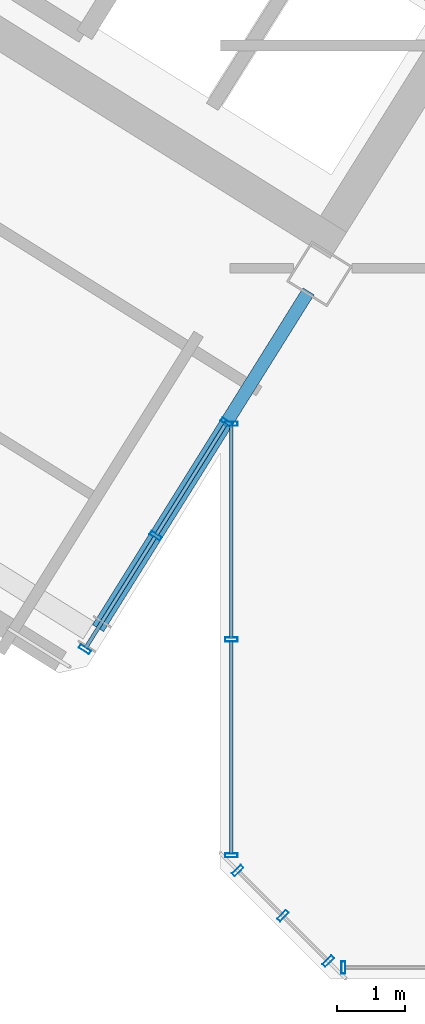
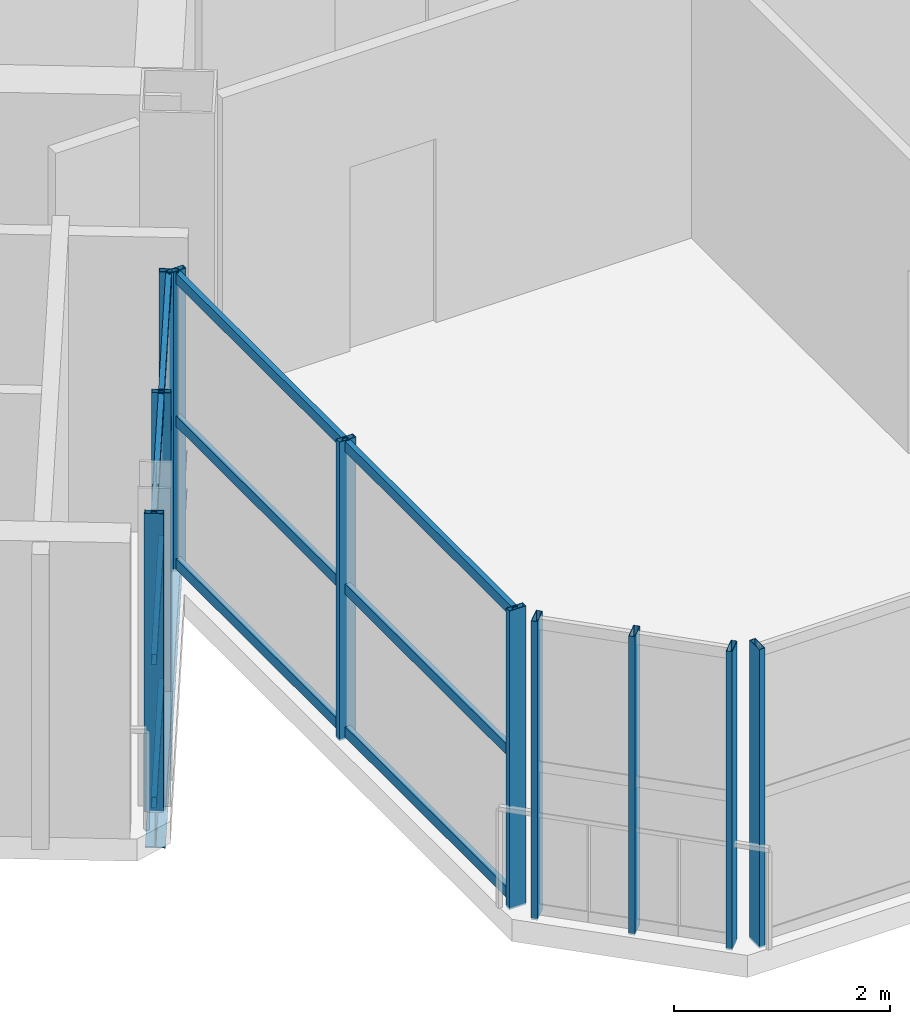
# One storey, part 3 of 15: 22 members, 1 beam, 4 elements without a shape of their own.
"""IFC4 building model written with IfcOpenShell, lengths in metres."""

from ifc_helpers import new_model, si_unit, direction, frame, origin, origin_2d, place, context, subcontext, project, spatial, hollow_rectangle, i_section, extrude, source, transform, mapped, material, material_profile, profile_set, type_object, element, aggregate, save


model = new_model("IFC4")

# Units and contexts
model_context = context("Model", 3, precision=1e-05, world=origin(), true_north=direction((0.0, 1.0)))
body_context = subcontext(model_context, "Body", "Model", "MODEL_VIEW")
ifc_project = project(units=[si_unit("LENGTHUNIT", "METRE"), si_unit("AREAUNIT", "SQUARE_METRE"), si_unit("VOLUMEUNIT", "CUBIC_METRE"), si_unit("PLANEANGLEUNIT", "RADIAN"), si_unit("MASSUNIT", "GRAM", prefix="KILO")], contexts=[model_context])

# Site, building, storey
site_placement = place(None, origin())
site = spatial("IfcSite", under=ifc_project, at=site_placement, CompositionType="ELEMENT")
building_placement = place(site_placement, origin())
building = spatial("IfcBuilding", under=site, at=building_placement, Name="Tlacorven Tower", CompositionType="ELEMENT")
storey_placement = place(building_placement, frame((0.0, 0.0, 266.39990234375)))
storey = spatial("IfcBuildingStorey", under=building, at=storey_placement, Name="L67", CompositionType="ELEMENT", Elevation=266.39990234375)

# Beam
ifc_material_1 = material(Name="Steel S355J2", Category="steel")
ifc_material_profile_1 = material_profile(ifc_material_1, i_section(OverallWidth=0.18994140625, OverallDepth=0.449951171875, WebThickness=0.009521484375, FlangeThickness=0.0146484375, at=origin_2d()), Name="IPE 450")
ifc_profile_set_1 = profile_set([ifc_material_profile_1], Name="Steel S355J2")
beam_type = type_object("IfcBeamType", Name="BM-TWR-450", PredefinedType="BEAM", material=ifc_profile_set_1)
shared_shape_1 = source(origin(), body_context, "Body", "SweptSolid", [
    extrude(i_section(OverallWidth=0.18994140625, OverallDepth=0.449951171875, WebThickness=0.009521484375, FlangeThickness=0.0146484375, at=origin_2d()), origin(), (0.0, 0.0, 1.0), 5.800048828125),
])
beam_placement = place(storey_placement, frame((32.88720703125, 11.83251953125, -0.474853515625), z_axis=(-0.529911912967, -0.848052689693, 0.0), x_axis=(0.848052689693, -0.529911912967, 0.0)))
element("IfcBeam", 1, at=beam_placement, inside=storey, type_object=beam_type, Name="L67 beam BM-L67-WT1-2", PredefinedType="BEAM", context=body_context, shape_type="MappedRepresentation", body=[
    mapped(shared_shape_1, transform((0.0, 0.0, 0.0), scale=1.0)),
])

# Curtain wall, member
ifc_material_2 = material(Name="Dark solar low-E double glazing in aluminium frame", Category="aluminium")
curtain_wall_type = type_object("IfcCurtainWallType", Name="CW-TWR-HIGH", PredefinedType="USERDEFINED", material=ifc_material_2)
curtain_wall_1_placement = place(storey_placement, origin())
curtain_wall_1 = element("IfcCurtainWall", 2, at=curtain_wall_1_placement, inside=storey, type_object=curtain_wall_type, Name="L67 CW-TWR-HIGH Curtain Wall 309", ObjectType="UNITISED CURTAIN WALL", PredefinedType="USERDEFINED")
ifc_material_3 = material(Name="Aluminium 6063-T6 anodised", Category="aluminium")
ifc_material_profile_2 = material_profile(ifc_material_3, hollow_rectangle(XDim=0.06005859375, YDim=0.179931640625, WallThickness=0.00390625, at=origin_2d()), Name="ALU MULLION 60X180")
ifc_profile_set_2 = profile_set([ifc_material_profile_2], Name="Aluminium 6063-T6 anodised")
member_type_1 = type_object("IfcMemberType", Name="CWM-03", PredefinedType="MULLION", material=ifc_profile_set_2)
shared_shape_2 = source(origin(), body_context, "Body", "SweptSolid", [
    extrude(hollow_rectangle(XDim=0.06005859375, YDim=0.179931640625, WallThickness=0.00390625, at=origin_2d()), origin(), (0.0, 0.0, 1.0), 3.380126953125),
])
member_1_placement = place(storey_placement, frame((33.396240234375, 1.9599609375, -0.02001953125), z_axis=(0.0, 0.0, 1.0), x_axis=(-1.0, 0.0, 0.0)))
member_1 = element("IfcMember", 3, at=member_1_placement, type_object=member_type_1, Name="CW-L67-309 Mullion 4", PredefinedType="MULLION", context=body_context, shape_type="MappedRepresentation", body=[
    mapped(shared_shape_2, transform((0.0, 0.0, 0.0), scale=1.0)),
])
aggregate(curtain_wall_1, [member_1])

# Curtain wall, members
curtain_wall_2_placement = place(storey_placement, origin())
curtain_wall_2 = element("IfcCurtainWall", 4, at=curtain_wall_2_placement, inside=storey, type_object=curtain_wall_type, Name="L67 CW-TWR-HIGH Curtain Wall 310", ObjectType="UNITISED CURTAIN WALL", PredefinedType="USERDEFINED")
member_2_placement = place(storey_placement, frame((33.17431640625, 2.052001953125, -0.02001953125), z_axis=(0.0, 0.0, 1.0), x_axis=(-0.707106781187, 0.707106781187, 0.0)))
member_2 = element("IfcMember", 5, at=member_2_placement, type_object=member_type_1, Name="CW-L67-310 Mullion 1", PredefinedType="MULLION", context=body_context, shape_type="MappedRepresentation", body=[
    mapped(shared_shape_2, transform((0.0, 0.0, 0.0), scale=1.0)),
])
member_3_placement = place(storey_placement, frame((32.51318359375, 2.713134765625, -0.02001953125), z_axis=(0.0, 0.0, 1.0), x_axis=(-0.707106781187, 0.707106781187, 0.0)))
member_3 = element("IfcMember", 6, at=member_3_placement, type_object=member_type_1, Name="CW-L67-310 Mullion 2", PredefinedType="MULLION", context=body_context, shape_type="MappedRepresentation", body=[
    mapped(shared_shape_2, transform((0.0, 0.0, 0.0), scale=1.0)),
])
member_4_placement = place(storey_placement, frame((31.851806640625, 3.374267578125, -0.02001953125), z_axis=(0.0, 0.0, 1.0), x_axis=(-0.707106781187, 0.707106781187, 0.0)))
member_4 = element("IfcMember", 7, at=member_4_placement, type_object=member_type_1, Name="CW-L67-310 Mullion 3", PredefinedType="MULLION", context=body_context, shape_type="MappedRepresentation", body=[
    mapped(shared_shape_2, transform((0.0, 0.0, 0.0), scale=1.0)),
])
aggregate(curtain_wall_2, [member_2, member_3, member_4])

curtain_wall_3_placement = place(storey_placement, origin())
curtain_wall_3 = element("IfcCurtainWall", 8, at=curtain_wall_3_placement, inside=storey, type_object=curtain_wall_type, Name="L67 CW-TWR-HIGH Curtain Wall 311", ObjectType="UNITISED CURTAIN WALL", PredefinedType="USERDEFINED")
member_5_placement = place(storey_placement, frame((31.760009765625, 3.59619140625, -0.02001953125), z_axis=(0.0, 0.0, 1.0), x_axis=(0.0, 1.0, 0.0)))
member_5 = element("IfcMember", 9, at=member_5_placement, type_object=member_type_1, Name="CW-L67-311 Mullion 1", PredefinedType="MULLION", context=body_context, shape_type="MappedRepresentation", body=[
    mapped(shared_shape_2, transform((0.0, 0.0, 0.0), scale=1.0)),
])
member_6_placement = place(storey_placement, frame((31.760009765625, 6.74755859375, -0.02001953125), z_axis=(0.0, 0.0, 1.0), x_axis=(0.0, 1.0, 0.0)))
member_6 = element("IfcMember", 10, at=member_6_placement, type_object=member_type_1, Name="CW-L67-311 Mullion 2", PredefinedType="MULLION", context=body_context, shape_type="MappedRepresentation", body=[
    mapped(shared_shape_2, transform((0.0, 0.0, 0.0), scale=1.0)),
])
member_7_placement = place(storey_placement, frame((31.760009765625, 9.898681640625, -0.02001953125), z_axis=(0.0, 0.0, 1.0), x_axis=(0.0, 1.0, 0.0)))
member_7 = element("IfcMember", 11, at=member_7_placement, type_object=member_type_1, Name="CW-L67-311 Mullion 3", PredefinedType="MULLION", context=body_context, shape_type="MappedRepresentation", body=[
    mapped(shared_shape_2, transform((0.0, 0.0, 0.0), scale=1.0)),
])

curtain_wall_4_placement = place(storey_placement, origin())
curtain_wall_4 = element("IfcCurtainWall", 12, at=curtain_wall_4_placement, inside=storey, type_object=curtain_wall_type, Name="L67 CW-TWR-HIGH Curtain Wall 312", ObjectType="UNITISED CURTAIN WALL", PredefinedType="USERDEFINED")
member_8_placement = place(storey_placement, frame((31.691162109375, 9.91845703125, -0.02001953125), z_axis=(0.0, 0.0, 1.0), x_axis=(-0.529918710919, -0.848048441905, 0.0)))
member_8 = element("IfcMember", 13, at=member_8_placement, type_object=member_type_1, Name="CW-L67-312 Mullion 1", PredefinedType="MULLION", context=body_context, shape_type="MappedRepresentation", body=[
    mapped(shared_shape_2, transform((0.0, 0.0, 0.0), scale=1.0)),
])
member_9_placement = place(storey_placement, frame((30.656005859375, 8.261962890625, -0.02001953125), z_axis=(0.0, 0.0, 1.0), x_axis=(-0.529918710919, -0.848048441905, 0.0)))
member_9 = element("IfcMember", 14, at=member_9_placement, type_object=member_type_1, Name="CW-L67-312 Mullion 2", PredefinedType="MULLION", context=body_context, shape_type="MappedRepresentation", body=[
    mapped(shared_shape_2, transform((0.0, 0.0, 0.0), scale=1.0)),
])
member_10_placement = place(storey_placement, frame((29.620849609375, 6.605224609375, -0.02001953125), z_axis=(0.0, 0.0, 1.0), x_axis=(-0.529918710919, -0.848048441905, 0.0)))
member_10 = element("IfcMember", 15, at=member_10_placement, type_object=member_type_1, Name="CW-L67-312 Mullion 3", PredefinedType="MULLION", context=body_context, shape_type="MappedRepresentation", body=[
    mapped(shared_shape_2, transform((0.0, 0.0, 0.0), scale=1.0)),
])

# Member
ifc_material_profile_3 = material_profile(ifc_material_3, hollow_rectangle(XDim=0.054931640625, YDim=0.1201171875, WallThickness=0.00341796875, at=origin_2d()), Name="ALU TRANSOM 55X120")
ifc_profile_set_3 = profile_set([ifc_material_profile_3], Name="Aluminium 6063-T6 anodised")
member_type_2 = type_object("IfcMemberType", Name="CWT-03", PredefinedType="USERDEFINED", material=ifc_profile_set_3)
shared_shape_3 = source(origin(), body_context, "Body", "SweptSolid", [
    extrude(hollow_rectangle(XDim=0.054931640625, YDim=0.1201171875, WallThickness=0.00341796875, at=origin_2d()), origin(), (0.0, 0.0, 1.0), 3.115234375),
])
member_11_placement = place(storey_placement, frame((31.760009765625, 3.6142578125, 0.06005859375), z_axis=(0.0, 1.0, 0.0), x_axis=(-1.0, 0.0, 0.0)))
member_11 = element("IfcMember", 16, at=member_11_placement, type_object=member_type_2, Name="CW-L67-311 Transom 1", ObjectType="TRANSOM", PredefinedType="USERDEFINED", context=body_context, shape_type="MappedRepresentation", body=[
    mapped(shared_shape_3, transform((0.0, 0.0, 0.0), scale=1.0)),
])

member_12_placement = place(storey_placement, frame((31.760009765625, 3.6142578125, 1.675048828125), z_axis=(0.0, 1.0, 0.0), x_axis=(-1.0, 0.0, 0.0)))
member_12 = element("IfcMember", 17, at=member_12_placement, type_object=member_type_2, Name="CW-L67-311 Transom 2", ObjectType="TRANSOM", PredefinedType="USERDEFINED", context=body_context, shape_type="MappedRepresentation", body=[
    mapped(shared_shape_3, transform((0.0, 0.0, 0.0), scale=1.0)),
])

member_13_placement = place(storey_placement, frame((31.760009765625, 3.6142578125, 3.2900390625), z_axis=(0.0, 1.0, 0.0), x_axis=(-1.0, 0.0, 0.0)))
member_13 = element("IfcMember", 18, at=member_13_placement, type_object=member_type_2, Name="CW-L67-311 Transom 3", ObjectType="TRANSOM", PredefinedType="USERDEFINED", context=body_context, shape_type="MappedRepresentation", body=[
    mapped(shared_shape_3, transform((0.0, 0.0, 0.0), scale=1.0)),
])

member_14_placement = place(storey_placement, frame((31.760009765625, 6.765380859375, 0.06005859375), z_axis=(0.0, 1.0, 0.0), x_axis=(-1.0, 0.0, 0.0)))
member_14 = element("IfcMember", 19, at=member_14_placement, type_object=member_type_2, Name="CW-L67-311 Transom 4", ObjectType="TRANSOM", PredefinedType="USERDEFINED", context=body_context, shape_type="MappedRepresentation", body=[
    mapped(shared_shape_3, transform((0.0, 0.0, 0.0), scale=1.0)),
])

member_15_placement = place(storey_placement, frame((31.760009765625, 6.765380859375, 1.675048828125), z_axis=(0.0, 1.0, 0.0), x_axis=(-1.0, 0.0, 0.0)))
member_15 = element("IfcMember", 20, at=member_15_placement, type_object=member_type_2, Name="CW-L67-311 Transom 5", ObjectType="TRANSOM", PredefinedType="USERDEFINED", context=body_context, shape_type="MappedRepresentation", body=[
    mapped(shared_shape_3, transform((0.0, 0.0, 0.0), scale=1.0)),
])

member_16_placement = place(storey_placement, frame((31.760009765625, 6.765380859375, 3.2900390625), z_axis=(0.0, 1.0, 0.0), x_axis=(-1.0, 0.0, 0.0)))
member_16 = element("IfcMember", 21, at=member_16_placement, type_object=member_type_2, Name="CW-L67-311 Transom 6", ObjectType="TRANSOM", PredefinedType="USERDEFINED", context=body_context, shape_type="MappedRepresentation", body=[
    mapped(shared_shape_3, transform((0.0, 0.0, 0.0), scale=1.0)),
])

aggregate(curtain_wall_3, [member_5, member_6, member_7, member_11, member_12, member_13, member_14, member_15, member_16])

shared_shape_4 = source(origin(), body_context, "Body", "SweptSolid", [
    extrude(hollow_rectangle(XDim=0.054931640625, YDim=0.1201171875, WallThickness=0.00341796875, at=origin_2d()), origin(), (0.0, 0.0, 1.0), 1.91748046875),
])
member_17_placement = place(storey_placement, frame((31.681640625, 9.903076171875, 0.06005859375), z_axis=(-0.529953157166, -0.84802691656, 0.0), x_axis=(0.84802691656, -0.529953157166, 0.0)))
member_17 = element("IfcMember", 22, at=member_17_placement, type_object=member_type_2, Name="CW-L67-312 Transom 1", ObjectType="TRANSOM", PredefinedType="USERDEFINED", context=body_context, shape_type="MappedRepresentation", body=[
    mapped(shared_shape_4, transform((0.0, 0.0, 0.0), scale=1.0)),
])

member_18_placement = place(storey_placement, frame((31.681640625, 9.903076171875, 1.675048828125), z_axis=(-0.529953157166, -0.84802691656, 0.0), x_axis=(0.84802691656, -0.529953157166, 0.0)))
member_18 = element("IfcMember", 23, at=member_18_placement, type_object=member_type_2, Name="CW-L67-312 Transom 2", ObjectType="TRANSOM", PredefinedType="USERDEFINED", context=body_context, shape_type="MappedRepresentation", body=[
    mapped(shared_shape_4, transform((0.0, 0.0, 0.0), scale=1.0)),
])

member_19_placement = place(storey_placement, frame((31.681640625, 9.903076171875, 3.2900390625), z_axis=(-0.529953157166, -0.84802691656, 0.0), x_axis=(0.84802691656, -0.529953157166, 0.0)))
member_19 = element("IfcMember", 24, at=member_19_placement, type_object=member_type_2, Name="CW-L67-312 Transom 3", ObjectType="TRANSOM", PredefinedType="USERDEFINED", context=body_context, shape_type="MappedRepresentation", body=[
    mapped(shared_shape_4, transform((0.0, 0.0, 0.0), scale=1.0)),
])

member_20_placement = place(storey_placement, frame((30.646484375, 8.24658203125, 0.06005859375), z_axis=(-0.529953157166, -0.84802691656, 0.0), x_axis=(0.84802691656, -0.529953157166, 0.0)))
member_20 = element("IfcMember", 25, at=member_20_placement, type_object=member_type_2, Name="CW-L67-312 Transom 4", ObjectType="TRANSOM", PredefinedType="USERDEFINED", context=body_context, shape_type="MappedRepresentation", body=[
    mapped(shared_shape_4, transform((0.0, 0.0, 0.0), scale=1.0)),
])

member_21_placement = place(storey_placement, frame((30.646484375, 8.24658203125, 1.675048828125), z_axis=(-0.529953157166, -0.84802691656, 0.0), x_axis=(0.84802691656, -0.529953157166, 0.0)))
member_21 = element("IfcMember", 26, at=member_21_placement, type_object=member_type_2, Name="CW-L67-312 Transom 5", ObjectType="TRANSOM", PredefinedType="USERDEFINED", context=body_context, shape_type="MappedRepresentation", body=[
    mapped(shared_shape_4, transform((0.0, 0.0, 0.0), scale=1.0)),
])

member_22_placement = place(storey_placement, frame((30.646484375, 8.24658203125, 3.2900390625), z_axis=(-0.529953157166, -0.84802691656, 0.0), x_axis=(0.84802691656, -0.529953157166, 0.0)))
member_22 = element("IfcMember", 27, at=member_22_placement, type_object=member_type_2, Name="CW-L67-312 Transom 6", ObjectType="TRANSOM", PredefinedType="USERDEFINED", context=body_context, shape_type="MappedRepresentation", body=[
    mapped(shared_shape_4, transform((0.0, 0.0, 0.0), scale=1.0)),
])

aggregate(curtain_wall_4, [member_8, member_9, member_10, member_17, member_18, member_19, member_20, member_21, member_22])

save(model, "model.ifc")
